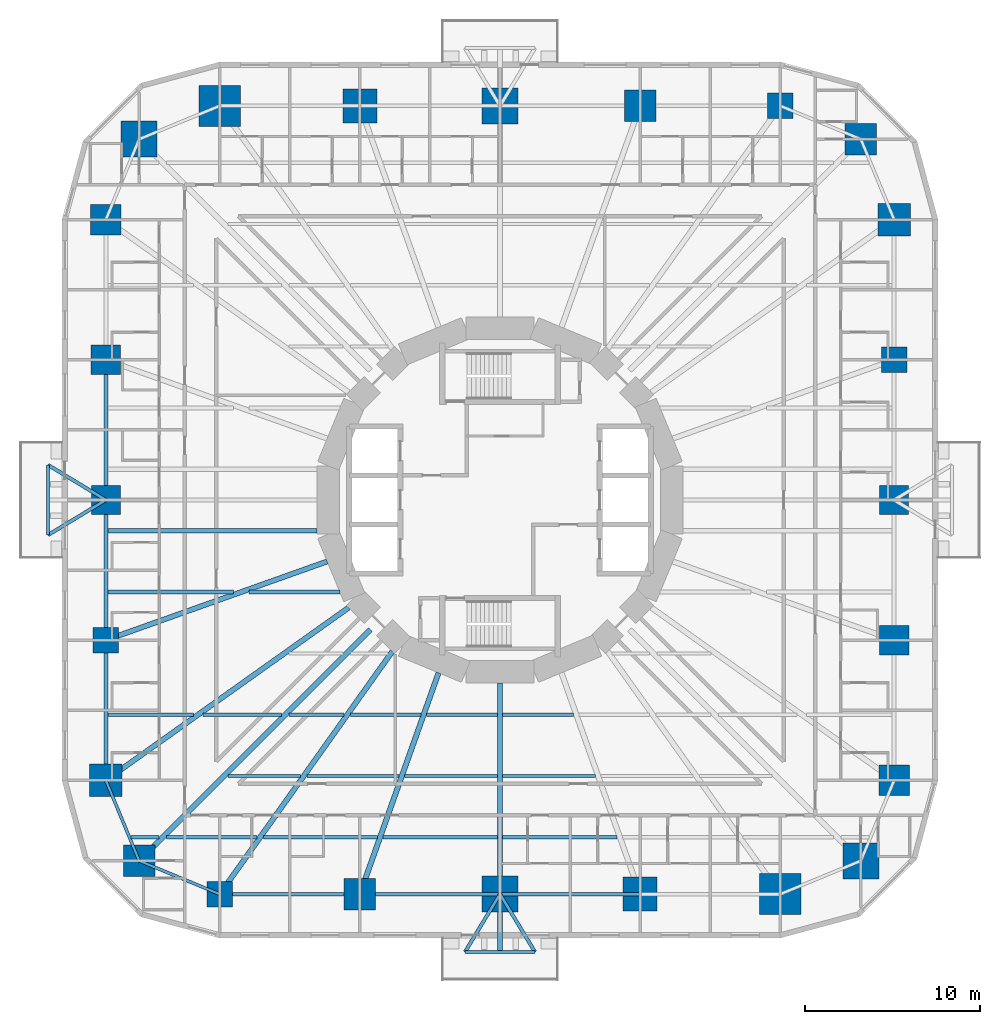
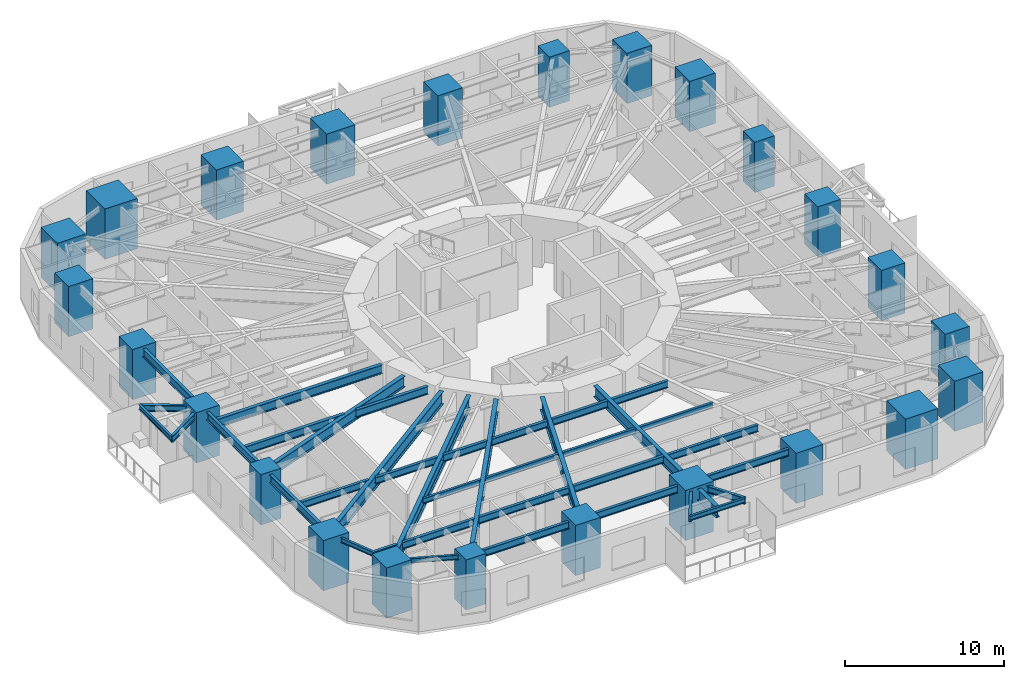
# One storey, part 1 of 14: 38 beams, 24 columns.
"""IFC4 building model written with IfcOpenShell, lengths in metres."""

from ifc_helpers import new_model, si_unit, direction, frame, origin, origin_2d, place, context, subcontext, project, spatial, rectangle, i_section, extrude, material, material_profile, profile_set, type_object, element, save


model = new_model("IFC4")

# Units and contexts
model_context = context("Model", 3, precision=1e-05, world=origin(), true_north=direction((0.0, 1.0)))
body_context = subcontext(model_context, "Body", "Model", "MODEL_VIEW")
ifc_project = project(units=[si_unit("LENGTHUNIT", "METRE"), si_unit("AREAUNIT", "SQUARE_METRE"), si_unit("VOLUMEUNIT", "CUBIC_METRE"), si_unit("PLANEANGLEUNIT", "RADIAN"), si_unit("MASSUNIT", "GRAM", prefix="KILO")], contexts=[model_context])

# Site, building, storey
site_placement = place(None, origin())
site = spatial("IfcSite", under=ifc_project, at=site_placement, CompositionType="ELEMENT")
building_placement = place(site_placement, origin())
building = spatial("IfcBuilding", under=site, at=building_placement, Name="Nakasero Lantern House", CompositionType="ELEMENT")
storey_placement = place(building_placement, frame((0.0, 0.0, 19.85009765625)))
storey = spatial("IfcBuildingStorey", under=building, at=storey_placement, Name="L04", CompositionType="ELEMENT", Elevation=19.85009765625)

# Columns
ifc_material_1 = material(Name="Concrete C50/60", Category="concrete")
ifc_material_profile_1 = material_profile(ifc_material_1, rectangle(XDim=1.800048828125, YDim=1.800048828125, at=origin_2d()), Name="RC 1800x1800")
ifc_profile_set_1 = profile_set([ifc_material_profile_1], Name="Concrete C50/60")
column_type_1 = type_object("IfcColumnType", Name="Mega column RC 1800x1800 C50/60", PredefinedType="COLUMN", material=ifc_profile_set_1)
for number, where, z_axis, x_axis, name in (
    (1, (20.59619140625, 20.59619140625, 0.0), (0.0, 0.0, 1.0), (1.0, 0.0, 0.0), "Column B1-C06 L04"),
    (2, (-20.59619140625, -20.59619140625, 0.0), (0.0, 0.0, 1.0), (1.0, 0.0, 0.0), "Column B1-C18 L04"),
):
    element("IfcColumn", number, at=place(storey_placement, frame(where, z_axis=z_axis, x_axis=x_axis)), inside=storey, type_object=column_type_1, Name=name, PredefinedType="COLUMN", context=body_context, shape_type="SweptSolid", body=[
        extrude(rectangle(XDim=1.800048828125, YDim=1.800048828125, at=origin_2d()), origin(), (0.0, 0.0, 1.0), 3.849853515625),
    ])
ifc_material_2 = material(Name="Concrete C50/60", Category="concrete")
ifc_material_profile_2 = material_profile(ifc_material_2, rectangle(XDim=2.050048828125, YDim=2.050048828125, at=origin_2d()), Name="RC 2050x2050")
ifc_profile_set_2 = profile_set([ifc_material_profile_2], Name="Concrete C50/60")
column_type_2 = type_object("IfcColumnType", Name="Mega column RC 2050x2050 C50/60", PredefinedType="COLUMN", material=ifc_profile_set_2)
for number, where, z_axis, x_axis, name in (
    (3, (-20.59619140625, 20.59619140625, 0.0), (0.0, 0.0, 1.0), (1.0, 0.0, 0.0), "Column B1-C12 L04"),
    (4, (20.59619140625, -20.59619140625, 0.0), (0.0, 0.0, 1.0), (1.0, 0.0, 0.0), "Column B1-C24 L04"),
):
    element("IfcColumn", number, at=place(storey_placement, frame(where, z_axis=z_axis, x_axis=x_axis)), inside=storey, type_object=column_type_2, Name=name, PredefinedType="COLUMN", context=body_context, shape_type="SweptSolid", body=[
        extrude(rectangle(XDim=2.050048828125, YDim=2.050048828125, at=origin_2d()), origin(), (0.0, 0.0, 1.0), 3.849853515625),
    ])
ifc_material_3 = material(Name="Concrete C50/60", Category="concrete")
ifc_material_profile_3 = material_profile(ifc_material_3, rectangle(XDim=1.449951171875, YDim=1.449951171875, at=origin_2d()), Name="RC 1450x1450")
ifc_profile_set_3 = profile_set([ifc_material_profile_3], Name="Concrete C50/60")
column_type_3 = type_object("IfcColumnType", Name="Ring column RC 1450x1450 C50/60", PredefinedType="COLUMN", material=ifc_profile_set_3)
for number, where, z_axis, x_axis, name in (
    (5, (22.5, 8.0, 0.0), (0.0, 0.0, 1.0), (1.0, 0.0, 0.0), "Column B1-C04 L04"),
    (6, (16.0, 22.5, 0.0), (0.0, 0.0, 1.0), (1.0, 0.0, 0.0), "Column B1-C07 L04"),
    (7, (-22.5, -8.0, 0.0), (0.0, 0.0, 1.0), (1.0, 0.0, 0.0), "Column B1-C16 L04"),
    (8, (-16.0, -22.5, 0.0), (0.0, 0.0, 1.0), (1.0, 0.0, 0.0), "Column B1-C19 L04"),
):
    element("IfcColumn", number, at=place(storey_placement, frame(where, z_axis=z_axis, x_axis=x_axis)), inside=storey, type_object=column_type_3, Name=name, PredefinedType="COLUMN", context=body_context, shape_type="SweptSolid", body=[
        extrude(rectangle(XDim=1.449951171875, YDim=1.449951171875, at=origin_2d()), origin(), (0.0, 0.0, 1.0), 3.849853515625),
    ])
ifc_material_4 = material(Name="Concrete C50/60", Category="concrete")
ifc_material_profile_4 = material_profile(ifc_material_4, rectangle(XDim=1.64990234375, YDim=1.64990234375, at=origin_2d()), Name="RC 1650x1650")
ifc_profile_set_4 = profile_set([ifc_material_profile_4], Name="Concrete C50/60")
column_type_4 = type_object("IfcColumnType", Name="Ring column RC 1650x1650 C50/60", PredefinedType="COLUMN", material=ifc_profile_set_4)
for number, where, z_axis, x_axis, name in (
    (9, (22.5, 0.0, 0.0), (0.0, 0.0, 1.0), (1.0, 0.0, 0.0), "Column B1-C03 L04"),
    (10, (-22.5, 0.0, 0.0), (0.0, 0.0, 1.0), (1.0, 0.0, 0.0), "Column B1-C15 L04"),
):
    element("IfcColumn", number, at=place(storey_placement, frame(where, z_axis=z_axis, x_axis=x_axis)), inside=storey, type_object=column_type_4, Name=name, PredefinedType="COLUMN", context=body_context, shape_type="SweptSolid", body=[
        extrude(rectangle(XDim=1.64990234375, YDim=1.64990234375, at=origin_2d()), origin(), (0.0, 0.0, 1.0), 3.849853515625),
    ])
ifc_material_5 = material(Name="Concrete C50/60", Category="concrete")
ifc_material_profile_5 = material_profile(ifc_material_5, rectangle(XDim=1.699951171875, YDim=1.699951171875, at=origin_2d()), Name="RC 1700x1700")
ifc_profile_set_5 = profile_set([ifc_material_profile_5], Name="Concrete C50/60")
column_type_5 = type_object("IfcColumnType", Name="Ring column RC 1700x1700 C50/60", PredefinedType="COLUMN", material=ifc_profile_set_5)
for number, where, z_axis, x_axis, name in (
    (11, (22.5, -8.0, 0.0), (0.0, 0.0, 1.0), (1.0, 0.0, 0.0), "Column B1-C02 L04"),
    (12, (-22.5, 8.0, 0.0), (0.0, 0.0, 1.0), (1.0, 0.0, 0.0), "Column B1-C14 L04"),
):
    element("IfcColumn", number, at=place(storey_placement, frame(where, z_axis=z_axis, x_axis=x_axis)), inside=storey, type_object=column_type_5, Name=name, PredefinedType="COLUMN", context=body_context, shape_type="SweptSolid", body=[
        extrude(rectangle(XDim=1.699951171875, YDim=1.699951171875, at=origin_2d()), origin(), (0.0, 0.0, 1.0), 3.849853515625),
    ])
ifc_material_6 = material(Name="Concrete C50/60", Category="concrete")
ifc_material_profile_6 = material_profile(ifc_material_6, rectangle(XDim=1.75, YDim=1.75, at=origin_2d()), Name="RC 1750x1750")
ifc_profile_set_6 = profile_set([ifc_material_profile_6], Name="Concrete C50/60")
column_type_6 = type_object("IfcColumnType", Name="Ring column RC 1750x1750 C50/60", PredefinedType="COLUMN", material=ifc_profile_set_6)
for number, where, z_axis, x_axis, name in (
    (13, (22.5, -16.0, 0.0), (0.0, 0.0, 1.0), (1.0, 0.0, 0.0), "Column B1-C01 L04"),
    (14, (-22.5, 16.0, 0.0), (0.0, 0.0, 1.0), (1.0, 0.0, 0.0), "Column B1-C13 L04"),
):
    element("IfcColumn", number, at=place(storey_placement, frame(where, z_axis=z_axis, x_axis=x_axis)), inside=storey, type_object=column_type_6, Name=name, PredefinedType="COLUMN", context=body_context, shape_type="SweptSolid", body=[
        extrude(rectangle(XDim=1.75, YDim=1.75, at=origin_2d()), origin(), (0.0, 0.0, 1.0), 3.849853515625),
    ])
ifc_material_7 = material(Name="Concrete C50/60", Category="concrete")
ifc_material_profile_7 = material_profile(ifc_material_7, rectangle(XDim=1.800048828125, YDim=1.800048828125, at=origin_2d()), Name="RC 1800x1800")
ifc_profile_set_7 = profile_set([ifc_material_profile_7], Name="Concrete C50/60")
column_type_7 = type_object("IfcColumnType", Name="Ring column RC 1800x1800 C50/60", PredefinedType="COLUMN", material=ifc_profile_set_7)
for number, where, z_axis, x_axis, name in (
    (15, (8.0, 22.5, 0.0), (0.0, 0.0, 1.0), (1.0, 0.0, 0.0), "Column B1-C08 L04"),
    (16, (-8.0, -22.5, 0.0), (0.0, 0.0, 1.0), (1.0, 0.0, 0.0), "Column B1-C20 L04"),
):
    element("IfcColumn", number, at=place(storey_placement, frame(where, z_axis=z_axis, x_axis=x_axis)), inside=storey, type_object=column_type_7, Name=name, PredefinedType="COLUMN", context=body_context, shape_type="SweptSolid", body=[
        extrude(rectangle(XDim=1.800048828125, YDim=1.800048828125, at=origin_2d()), origin(), (0.0, 0.0, 1.0), 3.849853515625),
    ])
ifc_material_8 = material(Name="Concrete C50/60", Category="concrete")
ifc_material_profile_8 = material_profile(ifc_material_8, rectangle(XDim=1.85009765625, YDim=1.85009765625, at=origin_2d()), Name="RC 1850x1850")
ifc_profile_set_8 = profile_set([ifc_material_profile_8], Name="Concrete C50/60")
column_type_8 = type_object("IfcColumnType", Name="Ring column RC 1850x1850 C50/60", PredefinedType="COLUMN", material=ifc_profile_set_8)
for number, where, z_axis, x_axis, name in (
    (17, (22.5, 16.0, 0.0), (0.0, 0.0, 1.0), (1.0, 0.0, 0.0), "Column B1-C05 L04"),
    (18, (-22.5, -16.0, 0.0), (0.0, 0.0, 1.0), (1.0, 0.0, 0.0), "Column B1-C17 L04"),
):
    element("IfcColumn", number, at=place(storey_placement, frame(where, z_axis=z_axis, x_axis=x_axis)), inside=storey, type_object=column_type_8, Name=name, PredefinedType="COLUMN", context=body_context, shape_type="SweptSolid", body=[
        extrude(rectangle(XDim=1.85009765625, YDim=1.85009765625, at=origin_2d()), origin(), (0.0, 0.0, 1.0), 3.849853515625),
    ])
ifc_material_9 = material(Name="Concrete C50/60", Category="concrete")
ifc_material_profile_9 = material_profile(ifc_material_9, rectangle(XDim=1.949951171875, YDim=1.949951171875, at=origin_2d()), Name="RC 1950x1950")
ifc_profile_set_9 = profile_set([ifc_material_profile_9], Name="Concrete C50/60")
column_type_9 = type_object("IfcColumnType", Name="Ring column RC 1950x1950 C50/60", PredefinedType="COLUMN", material=ifc_profile_set_9)
for number, where, z_axis, x_axis, name in (
    (19, (-8.0, 22.5, 0.0), (0.0, 0.0, 1.0), (1.0, 0.0, 0.0), "Column B1-C10 L04"),
    (20, (8.0, -22.5, 0.0), (0.0, 0.0, 1.0), (1.0, 0.0, 0.0), "Column B1-C22 L04"),
):
    element("IfcColumn", number, at=place(storey_placement, frame(where, z_axis=z_axis, x_axis=x_axis)), inside=storey, type_object=column_type_9, Name=name, PredefinedType="COLUMN", context=body_context, shape_type="SweptSolid", body=[
        extrude(rectangle(XDim=1.949951171875, YDim=1.949951171875, at=origin_2d()), origin(), (0.0, 0.0, 1.0), 3.849853515625),
    ])
ifc_material_10 = material(Name="Concrete C50/60", Category="concrete")
ifc_material_profile_10 = material_profile(ifc_material_10, rectangle(XDim=2.050048828125, YDim=2.050048828125, at=origin_2d()), Name="RC 2050x2050")
ifc_profile_set_10 = profile_set([ifc_material_profile_10], Name="Concrete C50/60")
column_type_10 = type_object("IfcColumnType", Name="Ring column RC 2050x2050 C50/60", PredefinedType="COLUMN", material=ifc_profile_set_10)
for number, where, z_axis, x_axis, name in (
    (21, (0.0, 22.5, 0.0), (0.0, 0.0, 1.0), (1.0, 0.0, 0.0), "Column B1-C09 L04"),
    (22, (0.0, -22.5, 0.0), (0.0, 0.0, 1.0), (1.0, 0.0, 0.0), "Column B1-C21 L04"),
):
    element("IfcColumn", number, at=place(storey_placement, frame(where, z_axis=z_axis, x_axis=x_axis)), inside=storey, type_object=column_type_10, Name=name, PredefinedType="COLUMN", context=body_context, shape_type="SweptSolid", body=[
        extrude(rectangle(XDim=2.050048828125, YDim=2.050048828125, at=origin_2d()), origin(), (0.0, 0.0, 1.0), 3.849853515625),
    ])
ifc_material_11 = material(Name="Concrete C50/60", Category="concrete")
ifc_material_profile_11 = material_profile(ifc_material_11, rectangle(XDim=2.35009765625, YDim=2.35009765625, at=origin_2d()), Name="RC 2350x2350")
ifc_profile_set_11 = profile_set([ifc_material_profile_11], Name="Concrete C50/60")
column_type_11 = type_object("IfcColumnType", Name="Ring column RC 2350x2350 C50/60", PredefinedType="COLUMN", material=ifc_profile_set_11)
for number, where, z_axis, x_axis, name in (
    (23, (-16.0, 22.5, 0.0), (0.0, 0.0, 1.0), (1.0, 0.0, 0.0), "Column B1-C11 L04"),
    (24, (16.0, -22.5, 0.0), (0.0, 0.0, 1.0), (1.0, 0.0, 0.0), "Column B1-C23 L04"),
):
    element("IfcColumn", number, at=place(storey_placement, frame(where, z_axis=z_axis, x_axis=x_axis)), inside=storey, type_object=column_type_11, Name=name, PredefinedType="COLUMN", context=body_context, shape_type="SweptSolid", body=[
        extrude(rectangle(XDim=2.35009765625, YDim=2.35009765625, at=origin_2d()), origin(), (0.0, 0.0, 1.0), 3.849853515625),
    ])

# Beams
ifc_material_12 = material(Name="Steel S355", Category="steel")
ifc_material_profile_12 = material_profile(ifc_material_12, i_section(OverallWidth=0.199462890625, OverallDepth=0.491943359375, WebThickness=0.01806640625, FlangeThickness=0.031982421875, FilletRadius=0.01025390625, at=origin_2d()), Name="UB 457x191x161")
ifc_profile_set_12 = profile_set([ifc_material_profile_12], Name="Steel S355")
beam_type_1 = type_object("IfcBeamType", Name="Balcony splay beam UB 457x191x161", PredefinedType="BEAM", material=ifc_profile_set_12)
for number, where, z_axis, x_axis, name in (
    (25, (-22.5, 0.0, 3.40380859375), (-0.855201230787, -0.518296107317, 0.0), (0.518296107317, -0.855201230787, 0.0), "Balcony splay beam L05 B1-C15A"),
    (26, (-22.5, 0.0, 3.40380859375), (-0.855201230787, 0.518296107317, 0.0), (-0.518296107317, -0.855201230787, 0.0), "Balcony splay beam L05 B1-C15B"),
    (27, (0.0, -22.5, 3.40380859375), (0.518296107317, -0.855201230787, 0.0), (0.855201230787, 0.518296107317, 0.0), "Balcony splay beam L05 B1-C21A"),
    (28, (0.0, -22.5, 3.40380859375), (-0.518296107317, -0.855201230787, 0.0), (0.855201230787, -0.518296107317, 0.0), "Balcony splay beam L05 B1-C21B"),
):
    element("IfcBeam", number, at=place(storey_placement, frame(where, z_axis=z_axis, x_axis=x_axis)), inside=storey, type_object=beam_type_1, Name=name, PredefinedType="BEAM", context=body_context, shape_type="SweptSolid", body=[
        extrude(i_section(OverallWidth=0.199462890625, OverallDepth=0.491943359375, WebThickness=0.01806640625, FlangeThickness=0.031982421875, FilletRadius=0.01025390625, at=origin_2d()), origin(), (0.0, 0.0, 1.0), 3.85888671875),
    ])
ifc_material_13 = material(Name="Steel S355", Category="steel")
ifc_material_profile_13 = material_profile(ifc_material_13, i_section(OverallWidth=0.17138671875, OverallDepth=0.35498046875, WebThickness=0.00732421875, FlangeThickness=0.011474609375, FilletRadius=0.01025390625, at=origin_2d()), Name="UB 356x171x51")
ifc_profile_set_13 = profile_set([ifc_material_profile_13], Name="Steel S355")
beam_type_2 = type_object("IfcBeamType", Name="Balcony tie beam UB 356x171x51", PredefinedType="BEAM", material=ifc_profile_set_13)
for number, where, z_axis, x_axis, name in (
    (29, (-25.800048828125, -2.0, 3.472412109375), (0.0, 1.0, 0.0), (-1.0, 0.0, 0.0), "Balcony tie beam L05 B1-C15"),
    (30, (2.0, -25.800048828125, 3.472412109375), (-1.0, 0.0, 0.0), (0.0, -1.0, 0.0), "Balcony tie beam L05 B1-C21"),
):
    element("IfcBeam", number, at=place(storey_placement, frame(where, z_axis=z_axis, x_axis=x_axis)), inside=storey, type_object=beam_type_2, Name=name, PredefinedType="BEAM", context=body_context, shape_type="SweptSolid", body=[
        extrude(i_section(OverallWidth=0.17138671875, OverallDepth=0.35498046875, WebThickness=0.00732421875, FlangeThickness=0.011474609375, FilletRadius=0.01025390625, at=origin_2d()), origin(), (0.0, 0.0, 1.0), 4.0),
    ])
ifc_material_14 = material(Name="Steel S355", Category="steel")
ifc_material_profile_14 = material_profile(ifc_material_14, i_section(OverallWidth=0.177978515625, OverallDepth=0.406494140625, WebThickness=0.0078125, FlangeThickness=0.0126953125, FilletRadius=0.01025390625, at=origin_2d()), Name="UB 406x178x60")
ifc_profile_set_14 = profile_set([ifc_material_profile_14], Name="Steel S355")
beam_type_3 = type_object("IfcBeamType", Name="Infill beam UB 406x178x60", PredefinedType="JOIST", material=ifc_profile_set_14)
beam_1_placement = place(storey_placement, frame((-15.537841796875, -15.75, 3.44677734375), z_axis=(1.0, 0.0, 0.0), x_axis=(0.0, 1.0, 0.0)))
element("IfcBeam", 31, at=beam_1_placement, inside=storey, type_object=beam_type_3, Name="Infill beam L05 03.1", PredefinedType="JOIST", context=body_context, shape_type="SweptSolid", body=[
    extrude(i_section(OverallWidth=0.177978515625, OverallDepth=0.406494140625, WebThickness=0.0078125, FlangeThickness=0.0126953125, FilletRadius=0.01025390625, at=origin_2d()), origin(), (0.0, 0.0, 1.0), 4.15380859375),
])
beam_2_placement = place(storey_placement, frame((-11.015869140625, -15.75, 3.44677734375), z_axis=(1.0, 0.0, 0.0), x_axis=(0.0, 1.0, 0.0)))
element("IfcBeam", 32, at=beam_2_placement, inside=storey, type_object=beam_type_3, Name="Infill beam L05 03.2", PredefinedType="JOIST", context=body_context, shape_type="SweptSolid", body=[
    extrude(i_section(OverallWidth=0.177978515625, OverallDepth=0.406494140625, WebThickness=0.0078125, FlangeThickness=0.0126953125, FilletRadius=0.01025390625, at=origin_2d()), origin(), (0.0, 0.0, 1.0), 5.256591796875),
])
for number, where, z_axis, x_axis, name in (
    (33, (-5.44091796875, -15.75, 3.44677734375), (1.0, 0.0, 0.0), (0.0, 1.0, 0.0), "Infill beam L05 03.3"),
    (34, (0.146240234375, -15.75, 3.44677734375), (1.0, 0.0, 0.0), (0.0, 1.0, 0.0), "Infill beam L05 03.4"),
):
    element("IfcBeam", number, at=place(storey_placement, frame(where, z_axis=z_axis, x_axis=x_axis)), inside=storey, type_object=beam_type_3, Name=name, PredefinedType="JOIST", context=body_context, shape_type="SweptSolid", body=[
        extrude(i_section(OverallWidth=0.177978515625, OverallDepth=0.406494140625, WebThickness=0.0078125, FlangeThickness=0.0126953125, FilletRadius=0.01025390625, at=origin_2d()), origin(), (0.0, 0.0, 1.0), 5.294677734375),
    ])
ifc_material_15 = material(Name="Steel S355", Category="steel")
ifc_material_profile_15 = material_profile(ifc_material_15, i_section(OverallWidth=0.208740234375, OverallDepth=0.5283203125, WebThickness=0.009521484375, FlangeThickness=0.01318359375, FilletRadius=0.0126953125, at=origin_2d()), Name="UB 533x210x82")
ifc_profile_set_15 = profile_set([ifc_material_profile_15], Name="Steel S355")
beam_type_4 = type_object("IfcBeamType", Name="Infill beam UB 533x210x82", PredefinedType="JOIST", material=ifc_profile_set_15)
beam_3_placement = place(storey_placement, frame((-21.06103515625, -19.25, 3.3857421875), z_axis=(1.0, 0.0, 0.0), x_axis=(0.0, 1.0, 0.0)))
element("IfcBeam", 35, at=beam_3_placement, inside=storey, type_object=beam_type_4, Name="Infill beam L05 02.1", PredefinedType="JOIST", context=body_context, shape_type="SweptSolid", body=[
    extrude(i_section(OverallWidth=0.208740234375, OverallDepth=0.5283203125, WebThickness=0.009521484375, FlangeThickness=0.01318359375, FilletRadius=0.0126953125, at=origin_2d()), origin(), (0.0, 0.0, 1.0), 1.598876953125),
])
beam_4_placement = place(storey_placement, frame((-19.037841796875, -19.25, 3.3857421875), z_axis=(1.0, 0.0, 0.0), x_axis=(0.0, 1.0, 0.0)))
element("IfcBeam", 36, at=beam_4_placement, inside=storey, type_object=beam_type_4, Name="Infill beam L05 02.2", PredefinedType="JOIST", context=body_context, shape_type="SweptSolid", body=[
    extrude(i_section(OverallWidth=0.208740234375, OverallDepth=0.5283203125, WebThickness=0.009521484375, FlangeThickness=0.01318359375, FilletRadius=0.0126953125, at=origin_2d()), origin(), (0.0, 0.0, 1.0), 5.164794921875),
])
beam_5_placement = place(storey_placement, frame((-13.5048828125, -19.25, 3.3857421875), z_axis=(1.0, 0.0, 0.0), x_axis=(0.0, 1.0, 0.0)))
element("IfcBeam", 37, at=beam_5_placement, inside=storey, type_object=beam_type_4, Name="Infill beam L05 02.3", PredefinedType="JOIST", context=body_context, shape_type="SweptSolid", body=[
    extrude(i_section(OverallWidth=0.208740234375, OverallDepth=0.5283203125, WebThickness=0.009521484375, FlangeThickness=0.01318359375, FilletRadius=0.0126953125, at=origin_2d()), origin(), (0.0, 0.0, 1.0), 6.501220703125),
])
for number, where, z_axis, x_axis, name in (
    (38, (-6.685302734375, -19.25, 3.3857421875), (1.0, 0.0, 0.0), (0.0, 1.0, 0.0), "Infill beam L05 02.4"),
    (39, (0.146240234375, -19.25, 3.3857421875), (1.0, 0.0, 0.0), (0.0, 1.0, 0.0), "Infill beam L05 02.5"),
):
    element("IfcBeam", number, at=place(storey_placement, frame(where, z_axis=z_axis, x_axis=x_axis)), inside=storey, type_object=beam_type_4, Name=name, PredefinedType="JOIST", context=body_context, shape_type="SweptSolid", body=[
        extrude(i_section(OverallWidth=0.208740234375, OverallDepth=0.5283203125, WebThickness=0.009521484375, FlangeThickness=0.01318359375, FilletRadius=0.0126953125, at=origin_2d()), origin(), (0.0, 0.0, 1.0), 6.5390625),
    ])
beam_6_placement = place(storey_placement, frame((-22.385498046875, -12.25, 3.3857421875), z_axis=(1.0, 0.0, 0.0), x_axis=(0.0, 1.0, 0.0)))
element("IfcBeam", 40, at=beam_6_placement, inside=storey, type_object=beam_type_4, Name="Infill beam L05 04.1", PredefinedType="JOIST", context=body_context, shape_type="SweptSolid", body=[
    extrude(i_section(OverallWidth=0.208740234375, OverallDepth=0.5283203125, WebThickness=0.009521484375, FlangeThickness=0.01318359375, FilletRadius=0.0126953125, at=origin_2d()), origin(), (0.0, 0.0, 1.0), 4.900146484375),
])
beam_7_placement = place(storey_placement, frame((-16.9677734375, -12.25, 3.3857421875), z_axis=(1.0, 0.0, 0.0), x_axis=(0.0, 1.0, 0.0)))
element("IfcBeam", 41, at=beam_7_placement, inside=storey, type_object=beam_type_4, Name="Infill beam L05 04.2", PredefinedType="JOIST", context=body_context, shape_type="SweptSolid", body=[
    extrude(i_section(OverallWidth=0.208740234375, OverallDepth=0.5283203125, WebThickness=0.009521484375, FlangeThickness=0.01318359375, FilletRadius=0.0126953125, at=origin_2d()), origin(), (0.0, 0.0, 1.0), 4.505615234375),
])
beam_8_placement = place(storey_placement, frame((-12.037841796875, -12.25, 3.3857421875), z_axis=(1.0, 0.0, 0.0), x_axis=(0.0, 1.0, 0.0)))
element("IfcBeam", 42, at=beam_8_placement, inside=storey, type_object=beam_type_4, Name="Infill beam L05 04.3", PredefinedType="JOIST", context=body_context, shape_type="SweptSolid", body=[
    extrude(i_section(OverallWidth=0.208740234375, OverallDepth=0.5283203125, WebThickness=0.009521484375, FlangeThickness=0.01318359375, FilletRadius=0.0126953125, at=origin_2d()), origin(), (0.0, 0.0, 1.0), 3.142578125),
])
beam_9_placement = place(storey_placement, frame((-8.527099609375, -12.25, 3.3857421875), z_axis=(1.0, 0.0, 0.0), x_axis=(0.0, 1.0, 0.0)))
element("IfcBeam", 43, at=beam_9_placement, inside=storey, type_object=beam_type_4, Name="Infill beam L05 04.4", PredefinedType="JOIST", context=body_context, shape_type="SweptSolid", body=[
    extrude(i_section(OverallWidth=0.208740234375, OverallDepth=0.5283203125, WebThickness=0.009521484375, FlangeThickness=0.01318359375, FilletRadius=0.0126953125, at=origin_2d()), origin(), (0.0, 0.0, 1.0), 4.012451171875),
])
for number, where, z_axis, x_axis, name in (
    (44, (-4.1962890625, -12.25, 3.3857421875), (1.0, 0.0, 0.0), (0.0, 1.0, 0.0), "Infill beam L05 04.5"),
    (45, (0.146240234375, -12.25, 3.3857421875), (1.0, 0.0, 0.0), (0.0, 1.0, 0.0), "Infill beam L05 04.6"),
):
    element("IfcBeam", number, at=place(storey_placement, frame(where, z_axis=z_axis, x_axis=x_axis)), inside=storey, type_object=beam_type_4, Name=name, PredefinedType="JOIST", context=body_context, shape_type="SweptSolid", body=[
        extrude(i_section(OverallWidth=0.208740234375, OverallDepth=0.5283203125, WebThickness=0.009521484375, FlangeThickness=0.01318359375, FilletRadius=0.0126953125, at=origin_2d()), origin(), (0.0, 0.0, 1.0), 4.050048828125),
    ])
ifc_material_16 = material(Name="Steel S355", Category="steel")
ifc_material_profile_16 = material_profile(ifc_material_16, i_section(OverallWidth=0.2275390625, OverallDepth=0.6025390625, WebThickness=0.010498046875, FlangeThickness=0.014892578125, FilletRadius=0.0126953125, at=origin_2d()), Name="UB 610x229x101")
ifc_profile_set_16 = profile_set([ifc_material_profile_16], Name="Steel S355")
beam_type_5 = type_object("IfcBeamType", Name="Infill beam UB 610x229x101", PredefinedType="JOIST", material=ifc_profile_set_16)
beam_10_placement = place(storey_placement, frame((-22.385498046875, -5.25, 3.3486328125), z_axis=(1.0, 0.0, 0.0), x_axis=(0.0, 1.0, 0.0)))
element("IfcBeam", 46, at=beam_10_placement, inside=storey, type_object=beam_type_5, Name="Infill beam L05 06.1", PredefinedType="JOIST", context=body_context, shape_type="SweptSolid", body=[
    extrude(i_section(OverallWidth=0.2275390625, OverallDepth=0.6025390625, WebThickness=0.010498046875, FlangeThickness=0.014892578125, FilletRadius=0.0126953125, at=origin_2d()), origin(), (0.0, 0.0, 1.0), 7.183349609375),
])
beam_11_placement = place(storey_placement, frame((-14.3291015625, -5.25, 3.3486328125), z_axis=(1.0, 0.0, 0.0), x_axis=(0.0, 1.0, 0.0)))
element("IfcBeam", 47, at=beam_11_placement, inside=storey, type_object=beam_type_5, Name="Infill beam L05 06.2", PredefinedType="JOIST", context=body_context, shape_type="SweptSolid", body=[
    extrude(i_section(OverallWidth=0.2275390625, OverallDepth=0.6025390625, WebThickness=0.010498046875, FlangeThickness=0.014892578125, FilletRadius=0.0126953125, at=origin_2d()), origin(), (0.0, 0.0, 1.0), 5.184326171875),
])
ifc_material_17 = material(Name="Steel S355", Category="steel")
ifc_material_profile_17 = material_profile(ifc_material_17, i_section(OverallWidth=0.253662109375, OverallDepth=0.68359375, WebThickness=0.012451171875, FlangeThickness=0.01904296875, FilletRadius=0.01513671875, at=origin_2d()), Name="UB 686x254x140")
ifc_profile_set_17 = profile_set([ifc_material_profile_17], Name="Steel S355")
beam_type_6 = type_object("IfcBeamType", Name="Infill beam UB 686x254x140", PredefinedType="JOIST", material=ifc_profile_set_17)
beam_12_placement = place(storey_placement, frame((-22.385498046875, -1.75, 3.30810546875), z_axis=(1.0, 0.0, 0.0), x_axis=(0.0, 1.0, 0.0)))
element("IfcBeam", 48, at=beam_12_placement, inside=storey, type_object=beam_type_6, Name="Infill beam L05 07.1", PredefinedType="JOIST", context=body_context, shape_type="SweptSolid", body=[
    extrude(i_section(OverallWidth=0.253662109375, OverallDepth=0.68359375, WebThickness=0.012451171875, FlangeThickness=0.01904296875, FilletRadius=0.01513671875, at=origin_2d()), origin(), (0.0, 0.0, 1.0), 11.927734375),
])
ifc_material_18 = material(Name="Steel S355", Category="steel")
ifc_material_profile_18 = material_profile(ifc_material_18, i_section(OverallWidth=0.300048828125, OverallDepth=0.97021484375, WebThickness=0.01611328125, FlangeThickness=0.02099609375, FilletRadius=0.030029296875, at=origin_2d()), Name="UB 1016x305x222")
ifc_profile_set_18 = profile_set([ifc_material_profile_18], Name="Steel S355")
beam_type_7 = type_object("IfcBeamType", Name="Primary beam UB 1016x305x222, span 12 to 15 m", PredefinedType="BEAM", material=ifc_profile_set_18)
beam_13_placement = place(storey_placement, frame((-8.0, -22.5, 3.164794921875), z_axis=(0.335010745293, 0.942214307118, 0.0), x_axis=(-0.942214307118, 0.335010745293, 0.0)))
element("IfcBeam", 49, at=beam_13_placement, inside=storey, type_object=beam_type_7, Name="Primary beam L05 B1-C20", PredefinedType="BEAM", context=body_context, shape_type="SweptSolid", body=[
    extrude(i_section(OverallWidth=0.300048828125, OverallDepth=0.97021484375, WebThickness=0.01611328125, FlangeThickness=0.02099609375, FilletRadius=0.030029296875, at=origin_2d()), origin(), (0.0, 0.0, 1.0), 13.408447265625),
])
ifc_material_19 = material(Name="Steel S355", Category="steel")
ifc_material_profile_19 = material_profile(ifc_material_19, i_section(OverallWidth=0.300048828125, OverallDepth=0.989990234375, WebThickness=0.0166015625, FlangeThickness=0.031005859375, FilletRadius=0.030029296875, at=origin_2d()), Name="UB 1016x305x272")
ifc_profile_set_19 = profile_set([ifc_material_profile_19], Name="Steel S355")
beam_type_8 = type_object("IfcBeamType", Name="Primary beam UB 1016x305x272, span over 15 m", PredefinedType="BEAM", material=ifc_profile_set_19)
beam_14_placement = place(storey_placement, frame((-22.5, -16.0, 3.15478515625), z_axis=(0.814952159915, 0.579528236629, 0.0), x_axis=(-0.579528236629, 0.814952159915, 0.0)))
element("IfcBeam", 50, at=beam_14_placement, inside=storey, type_object=beam_type_8, Name="Primary beam L05 B1-C17", PredefinedType="BEAM", context=body_context, shape_type="SweptSolid", body=[
    extrude(i_section(OverallWidth=0.300048828125, OverallDepth=0.989990234375, WebThickness=0.0166015625, FlangeThickness=0.031005859375, FilletRadius=0.030029296875, at=origin_2d()), origin(), (0.0, 0.0, 1.0), 17.003173828125),
])
beam_15_placement = place(storey_placement, frame((-20.59619140625, -20.59619140625, 3.15478515625), z_axis=(0.707106781187, 0.707106781187, 0.0), x_axis=(-0.707106781187, 0.707106781187, 0.0)))
element("IfcBeam", 51, at=beam_15_placement, inside=storey, type_object=beam_type_8, Name="Primary beam L05 B1-C18", PredefinedType="BEAM", context=body_context, shape_type="SweptSolid", body=[
    extrude(i_section(OverallWidth=0.300048828125, OverallDepth=0.989990234375, WebThickness=0.0166015625, FlangeThickness=0.031005859375, FilletRadius=0.030029296875, at=origin_2d()), origin(), (0.0, 0.0, 1.0), 18.669677734375),
])
ifc_material_20 = material(Name="Steel S355", Category="steel")
ifc_material_profile_20 = material_profile(ifc_material_20, i_section(OverallWidth=0.300048828125, OverallDepth=1.0, WebThickness=0.01904296875, FlangeThickness=0.035888671875, FilletRadius=0.030029296875, at=origin_2d()), Name="UB 1016x305x314")
ifc_profile_set_20 = profile_set([ifc_material_profile_20], Name="Steel S355")
beam_type_9 = type_object("IfcBeamType", Name="Primary beam UB 1016x305x314, span over 15 m", PredefinedType="BEAM", material=ifc_profile_set_20)
beam_16_placement = place(storey_placement, frame((-16.0, -22.5, 3.14990234375), z_axis=(0.579528236629, 0.814952159915, 0.0), x_axis=(-0.814952159915, 0.579528236629, 0.0)))
element("IfcBeam", 52, at=beam_16_placement, inside=storey, type_object=beam_type_9, Name="Primary beam L05 B1-C19", PredefinedType="BEAM", context=body_context, shape_type="SweptSolid", body=[
    extrude(i_section(OverallWidth=0.300048828125, OverallDepth=1.0, WebThickness=0.01904296875, FlangeThickness=0.035888671875, FilletRadius=0.030029296875, at=origin_2d()), origin(), (0.0, 0.0, 1.0), 17.003173828125),
])
ifc_material_21 = material(Name="Steel S355", Category="steel")
ifc_material_profile_21 = material_profile(ifc_material_21, i_section(OverallWidth=0.29248046875, OverallDepth=0.8408203125, WebThickness=0.0146484375, FlangeThickness=0.02685546875, FilletRadius=0.017822265625, at=origin_2d()), Name="UB 838x292x194")
ifc_profile_set_21 = profile_set([ifc_material_profile_21], Name="Steel S355")
beam_type_10 = type_object("IfcBeamType", Name="Primary beam UB 838x292x194, span 12 to 15 m", PredefinedType="BEAM", material=ifc_profile_set_21)
beam_17_placement = place(storey_placement, frame((-22.5, -8.0, 3.2294921875), z_axis=(0.942214307118, 0.335010745293, 0.0), x_axis=(-0.335010745293, 0.942214307118, 0.0)))
element("IfcBeam", 53, at=beam_17_placement, inside=storey, type_object=beam_type_10, Name="Primary beam L05 B1-C16", PredefinedType="BEAM", context=body_context, shape_type="SweptSolid", body=[
    extrude(i_section(OverallWidth=0.29248046875, OverallDepth=0.8408203125, WebThickness=0.0146484375, FlangeThickness=0.02685546875, FilletRadius=0.017822265625, at=origin_2d()), origin(), (0.0, 0.0, 1.0), 13.408447265625),
])
beam_18_placement = place(storey_placement, frame((0.0, -25.800048828125, 3.2294921875), z_axis=(0.0, 1.0, 0.0), x_axis=(-1.0, 0.0, 0.0)))
element("IfcBeam", 54, at=beam_18_placement, inside=storey, type_object=beam_type_10, Name="Primary beam L05 B1-C21", PredefinedType="BEAM", context=body_context, shape_type="SweptSolid", body=[
    extrude(i_section(OverallWidth=0.29248046875, OverallDepth=0.8408203125, WebThickness=0.0146484375, FlangeThickness=0.02685546875, FilletRadius=0.017822265625, at=origin_2d()), origin(), (0.0, 0.0, 1.0), 15.34228515625),
])
ifc_material_22 = material(Name="Steel S355", Category="steel")
ifc_material_profile_22 = material_profile(ifc_material_22, i_section(OverallWidth=0.17138671875, OverallDepth=0.35498046875, WebThickness=0.00732421875, FlangeThickness=0.011474609375, FilletRadius=0.01025390625, at=origin_2d()), Name="UB 356x171x51")
ifc_profile_set_22 = profile_set([ifc_material_profile_22], Name="Steel S355")
beam_type_11 = type_object("IfcBeamType", Name="Ring beam UB 356x171x51", PredefinedType="BEAM", material=ifc_profile_set_22)
for number, where, z_axis, x_axis, name in (
    (55, (-22.5, -16.0, 3.472412109375), (0.382684080569, -0.923879264016, 0.0), (0.923879264016, 0.382684080569, 0.0), "Ring beam L05 B1-C17"),
    (56, (-20.59619140625, -20.59619140625, 3.472412109375), (0.923879264016, -0.382684080569, 0.0), (0.382684080569, 0.923879264016, 0.0), "Ring beam L05 B1-C18"),
):
    element("IfcBeam", number, at=place(storey_placement, frame(where, z_axis=z_axis, x_axis=x_axis)), inside=storey, type_object=beam_type_11, Name=name, PredefinedType="BEAM", context=body_context, shape_type="SweptSolid", body=[
        extrude(i_section(OverallWidth=0.17138671875, OverallDepth=0.35498046875, WebThickness=0.00732421875, FlangeThickness=0.011474609375, FilletRadius=0.01025390625, at=origin_2d()), origin(), (0.0, 0.0, 1.0), 4.974853515625),
    ])
ifc_material_23 = material(Name="Steel S355", Category="steel")
ifc_material_profile_23 = material_profile(ifc_material_23, i_section(OverallWidth=0.2099609375, OverallDepth=0.53662109375, WebThickness=0.0107421875, FlangeThickness=0.017333984375, FilletRadius=0.0126953125, at=origin_2d()), Name="UB 533x210x101")
ifc_profile_set_23 = profile_set([ifc_material_profile_23], Name="Steel S355")
beam_type_12 = type_object("IfcBeamType", Name="Ring beam UB 533x210x101", PredefinedType="BEAM", material=ifc_profile_set_23)
for number, where, z_axis, x_axis, name in (
    (57, (-16.0, -22.5, 3.381591796875), (1.0, 0.0, 0.0), (0.0, 1.0, 0.0), "Ring beam L05 B1-C19"),
    (58, (-8.0, -22.5, 3.381591796875), (1.0, 0.0, 0.0), (0.0, 1.0, 0.0), "Ring beam L05 B1-C20"),
    (59, (0.0, -22.5, 3.381591796875), (1.0, 0.0, 0.0), (0.0, 1.0, 0.0), "Ring beam L05 B1-C21"),
):
    element("IfcBeam", number, at=place(storey_placement, frame(where, z_axis=z_axis, x_axis=x_axis)), inside=storey, type_object=beam_type_12, Name=name, PredefinedType="BEAM", context=body_context, shape_type="SweptSolid", body=[
        extrude(i_section(OverallWidth=0.2099609375, OverallDepth=0.53662109375, WebThickness=0.0107421875, FlangeThickness=0.017333984375, FilletRadius=0.0126953125, at=origin_2d()), origin(), (0.0, 0.0, 1.0), 8.0),
    ])
ifc_material_24 = material(Name="Steel S355", Category="steel")
ifc_material_profile_24 = material_profile(ifc_material_24, i_section(OverallWidth=0.22900390625, OverallDepth=0.6123046875, WebThickness=0.011962890625, FlangeThickness=0.01953125, FilletRadius=0.0126953125, at=origin_2d()), Name="UB 610x229x125")
ifc_profile_set_24 = profile_set([ifc_material_profile_24], Name="Steel S355")
beam_type_13 = type_object("IfcBeamType", Name="Ring beam UB 610x229x125", PredefinedType="BEAM", material=ifc_profile_set_24)
for number, where, z_axis, x_axis, name in (
    (60, (-22.5, 8.0, 3.34375), (0.0, -1.0, 0.0), (1.0, 0.0, 0.0), "Ring beam L05 B1-C14"),
    (61, (-22.5, 0.0, 3.34375), (0.0, -1.0, 0.0), (1.0, 0.0, 0.0), "Ring beam L05 B1-C15"),
    (62, (-22.5, -8.0, 3.34375), (0.0, -1.0, 0.0), (1.0, 0.0, 0.0), "Ring beam L05 B1-C16"),
):
    element("IfcBeam", number, at=place(storey_placement, frame(where, z_axis=z_axis, x_axis=x_axis)), inside=storey, type_object=beam_type_13, Name=name, PredefinedType="BEAM", context=body_context, shape_type="SweptSolid", body=[
        extrude(i_section(OverallWidth=0.22900390625, OverallDepth=0.6123046875, WebThickness=0.011962890625, FlangeThickness=0.01953125, FilletRadius=0.0126953125, at=origin_2d()), origin(), (0.0, 0.0, 1.0), 8.0),
    ])

save(model, "model.ifc")
